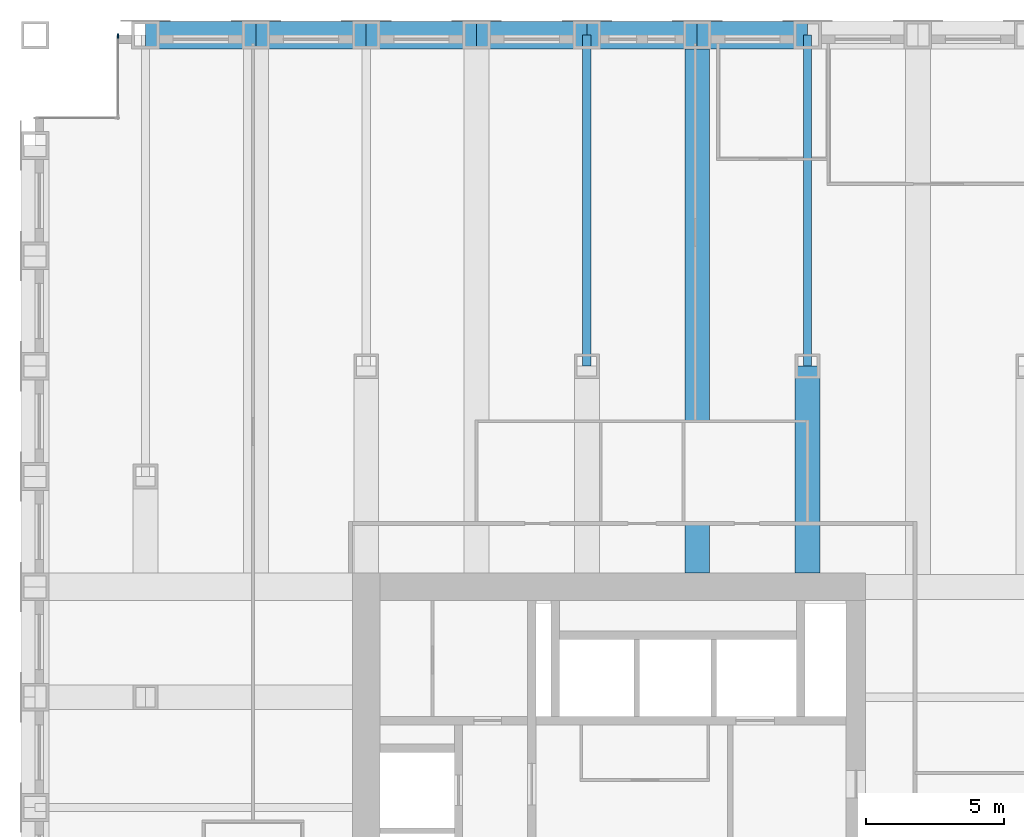
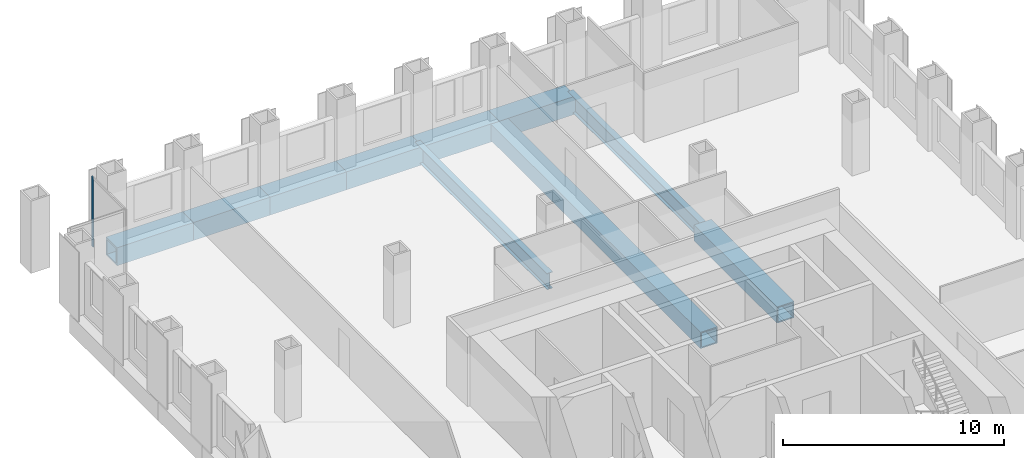
# One storey, part 6 of 13: 10 beams, 1 member, 1 element without a shape of its own.
"""IFC4 building model written with IfcOpenShell, lengths in metres."""

import ifcopenshell
import ifcopenshell.guid

model = None  # the IFC model being written
_history = None  # IfcOwnerHistory: only IFC2X3 demands one
_inside = {}  # id of a spatial element -> (the spatial element, [elements in it])
_under = {}  # id of a project, library or spatial element -> (it, [spatial elements below it])
_declared = {}  # id of a project -> (the project, [libraries it declares])
_typed = {}  # id of a type object -> (the type object, [elements of that type])
_made_of = {}  # id of a material, layer set ... -> (it, [elements and type objects made of it])


def new_model(schema):
    """Start an empty IFC model of exactly this schema.

    Asked for "IFC4X3", IfcOpenShell would pick the latest addendum, in which some entities
    have other attributes; the version numbers below select the first issue.
    IFC2X3 requires an IfcOwnerHistory on every rooted entity: one is made here for all.
    """
    global model, _history
    if schema == "IFC4X3":
        model = ifcopenshell.file(schema_version=(4, 3, 0, 0))
    else:
        model = ifcopenshell.file(schema=schema)
    _inside.clear()
    _under.clear()
    _declared.clear()
    _typed.clear()
    _made_of.clear()
    _history = None
    if model.schema == "IFC2X3":
        org = make("IfcOrganization", Name="unknown")
        user = make(
            "IfcPersonAndOrganization",
            ThePerson=make("IfcPerson", FamilyName="unknown"),
            TheOrganization=org,
        )
        app = make(
            "IfcApplication",
            ApplicationDeveloper=org,
            Version="unknown",
            ApplicationFullName="unknown",
            ApplicationIdentifier="unknown",
        )
        _history = make(
            "IfcOwnerHistory",
            OwningUser=user,
            OwningApplication=app,
            ChangeAction="ADDED",
            CreationDate=0,
        )
    return model


def make(cls, **values):
    """One entity of the class cls with the attributes given. An attribute that is None is left unset."""
    return model.create_entity(
        cls, **{name: value for name, value in values.items() if value is not None}
    )


def rooted(cls, **values):
    """An entity with a GlobalId (a new one), such as an element, a storey or a relation."""
    return make(cls, GlobalId=ifcopenshell.guid.new(), OwnerHistory=_history, **values)


def si_unit(unit_type, name, prefix=None):
    """IfcSIUnit, for example si_unit("LENGTHUNIT", "METRE", prefix="MILLI")."""
    return make("IfcSIUnit", UnitType=unit_type, Prefix=prefix, Name=name)


def assignment(units):
    """IfcUnitAssignment: the units of a project."""
    return None if units is None else make("IfcUnitAssignment", Units=units)


def point(xyz):
    """IfcCartesianPoint."""
    return None if xyz is None else make("IfcCartesianPoint", Coordinates=xyz)


def direction(xyz):
    """IfcDirection."""
    return None if xyz is None else make("IfcDirection", DirectionRatios=xyz)


def frame(location, z_axis=None, x_axis=None):
    """IfcAxis2Placement3D, a coordinate frame: its origin and axes. An axis left out is left unset."""
    return make(
        "IfcAxis2Placement3D",
        Location=point(location),
        Axis=direction(z_axis),
        RefDirection=direction(x_axis),
    )


def frame_2d(location, x_axis=None):
    """IfcAxis2Placement2D, a coordinate frame in the plane: its origin and x axis."""
    return make(
        "IfcAxis2Placement2D", Location=point(location), RefDirection=direction(x_axis)
    )


def origin():
    """The frame at (0, 0, 0) with its axes left unset."""
    return frame((0.0, 0.0, 0.0))


def origin_2d():
    """The frame at (0, 0) in the plane with its x axis left unset."""
    return frame_2d((0.0, 0.0))


def place(relative_to, where):
    """IfcLocalPlacement: puts the frame where relative to a parent placement (None: the world)."""
    return make(
        "IfcLocalPlacement", PlacementRelTo=relative_to, RelativePlacement=where
    )


def context(
    kind, dimensions, precision=None, world=None, true_north=None, identifier=None
):
    """IfcGeometricRepresentationContext, for example the 3D "Model" context."""
    return make(
        "IfcGeometricRepresentationContext",
        ContextIdentifier=identifier,
        ContextType=kind,
        CoordinateSpaceDimension=dimensions,
        Precision=precision,
        WorldCoordinateSystem=world,
        TrueNorth=true_north,
    )


def subcontext(parent, identifier, kind, view, scale=None):
    """IfcGeometricRepresentationSubContext, for example "Body" below "Model"."""
    return make(
        "IfcGeometricRepresentationSubContext",
        ContextIdentifier=identifier,
        ContextType=kind,
        ParentContext=parent,
        TargetScale=scale,
        TargetView=view,
    )


def project(units=None, contexts=None):
    """IfcProject with its units and contexts."""
    return rooted(
        "IfcProject",
        Name="project",
        RepresentationContexts=contexts,
        UnitsInContext=assignment(units),
    )


def spatial(cls, under=None, at=None, **own):
    """A site, building, storey or space (cls), placed at a placement, below another one or the project."""
    s = rooted(cls, ObjectPlacement=at, **own)
    if under is not None:
        _under.setdefault(under.id(), (under, []))[1].append(s)
    return s


def profile(cls, at=None, kind="AREA", **sizes):
    """A parametric profile (cls). Its sizes go by their IFC names, for example OverallWidth=200.0."""
    return make(cls, ProfileType=kind, Position=at, **sizes)


def rectangle(**sizes):
    """IfcRectangleProfileDef."""
    return profile("IfcRectangleProfileDef", **sizes)


def hollow_rectangle(**sizes):
    """IfcRectangleHollowProfileDef."""
    return profile("IfcRectangleHollowProfileDef", **sizes)


def i_section(**sizes):
    """IfcIShapeProfileDef."""
    return profile("IfcIShapeProfileDef", **sizes)


def extrude(swept, where, along, depth):
    """IfcExtrudedAreaSolid: the profile swept, set in the frame where, extruded along a direction by depth."""
    return make(
        "IfcExtrudedAreaSolid",
        SweptArea=swept,
        Position=where,
        ExtrudedDirection=direction(along),
        Depth=depth,
    )


def shape(context_of_items, identifier, shape_type, items):
    """IfcShapeRepresentation: the items that make up one representation, for example the "Body"."""
    return make(
        "IfcShapeRepresentation",
        ContextOfItems=context_of_items,
        RepresentationIdentifier=identifier,
        RepresentationType=shape_type,
        Items=items,
    )


def material(Name=None, Category=None):
    """IfcMaterial."""
    return make("IfcMaterial", Name=Name, Category=Category)


def material_profile(
    of_material, cross_section, Name=None, Category=None, Priority=None
):
    """IfcMaterialProfile: a cross section and its material."""
    return make(
        "IfcMaterialProfile",
        Name=Name,
        Material=of_material,
        Profile=cross_section,
        Priority=Priority,
        Category=Category,
    )


def profile_set(profiles, Name=None, composite=None):
    """IfcMaterialProfileSet."""
    return make(
        "IfcMaterialProfileSet",
        Name=Name,
        MaterialProfiles=profiles,
        CompositeProfile=composite,
    )


def made_of(thing, what):
    """Note that an element or type object is made of a material, layer set ...; save() writes the relation."""
    if what is not None:
        _made_of.setdefault(what.id(), (what, []))[1].append(thing)
    return thing


def type_object(cls, material=None, **own):
    """A type object (cls), such as IfcWallType, which elements share."""
    return made_of(rooted(cls, **own), material)


def element(
    cls,
    number,
    at=None,
    inside=None,
    cuts=None,
    type_object=None,
    material=None,
    context=None,
    identifier="Body",
    shape_type=None,
    held_by="IfcProductDefinitionShape",
    body=None,
    shapes=None,
    **own,
):
    """One element of the class cls, such as IfcWall. Its Tag is "e" and its number.

    at: its placement. inside: the storey or other place that contains it. cuts: it is an
    opening in that element (IfcRelVoidsElement). A single representation is given by context,
    identifier, shape_type and body (its items); several are given by shapes. held_by: the class
    of the entity that holds the representations. save() writes the other relations.
    """
    e = rooted(cls, Tag="e%d" % number, ObjectPlacement=at, **own)
    if body is not None:
        shapes = [shape(context, identifier, shape_type, body)]
    if shapes is not None:
        e.Representation = make(held_by, Representations=shapes)
    if inside is not None:
        _inside.setdefault(inside.id(), (inside, []))[1].append(e)
    if cuts is not None:
        rooted(
            "IfcRelVoidsElement", RelatingBuildingElement=cuts, RelatedOpeningElement=e
        )
    if type_object is not None:
        _typed.setdefault(type_object.id(), (type_object, []))[1].append(e)
    return made_of(e, material)


def aggregate(whole, parts):
    """IfcRelAggregates: a whole, such as a stair, and the parts it consists of."""
    return rooted("IfcRelAggregates", RelatingObject=whole, RelatedObjects=parts)


def save(model, path):
    """Write the relations noted so far, then the file.

    IfcRelAggregates (storeys below a building ...), IfcRelContainedInSpatialStructure (elements
    in a storey), IfcRelDefinesByType, IfcRelAssociatesMaterial and IfcRelDeclares: one each for
    every whole, place, type object, material and project.
    """
    for whole, parts in _under.values():
        aggregate(whole, parts)
    for where, things in _inside.values():
        rooted(
            "IfcRelContainedInSpatialStructure",
            RelatedElements=things,
            RelatingStructure=where,
        )
    for kind, things in _typed.values():
        rooted("IfcRelDefinesByType", RelatedObjects=things, RelatingType=kind)
    for what, things in _made_of.values():
        rooted("IfcRelAssociatesMaterial", RelatedObjects=things, RelatingMaterial=what)
    for by, libraries in _declared.values():
        rooted("IfcRelDeclares", RelatingContext=by, RelatedDefinitions=libraries)
    model.write(path)


model = new_model("IFC4")

# Units and contexts
model_context = context("Model", 3, precision=1e-05, world=origin(), true_north=direction((0.0, 1.0)))
body_context = subcontext(model_context, "Body", "Model", "MODEL_VIEW")
ifc_project = project(units=[si_unit("LENGTHUNIT", "METRE"), si_unit("AREAUNIT", "SQUARE_METRE"), si_unit("VOLUMEUNIT", "CUBIC_METRE"), si_unit("PLANEANGLEUNIT", "RADIAN"), si_unit("MASSUNIT", "GRAM", prefix="KILO")], contexts=[model_context])

# Site, building, storey
site_placement = place(None, origin())
site = spatial("IfcSite", under=ifc_project, at=site_placement, CompositionType="ELEMENT")
building_placement = place(site_placement, origin())
building = spatial("IfcBuilding", under=site, at=building_placement, Name="Rimbunsela Tower", CompositionType="ELEMENT")
storey_placement = place(building_placement, frame((0.0, 0.0, 187.800048828125)))
storey = spatial("IfcBuildingStorey", under=building, at=storey_placement, Name="L45", CompositionType="ELEMENT", Elevation=187.800048828125)

# Beams
ifc_material_1 = material(Name="Steel BJ 55 (fy 410 MPa)", Category="steel")
ifc_material_profile_1 = material_profile(ifc_material_1, hollow_rectangle(XDim=1.0, YDim=1.0, WallThickness=0.10009765625, at=origin_2d()), Name="BOX 1000x1000x100")
ifc_profile_set_1 = profile_set([ifc_material_profile_1], Name="Steel BJ 55 (fy 410 MPa)")
beam_type_1 = type_object("IfcBeamType", Name="Beam BOX 1000x1000x100", PredefinedType="BEAM", material=ifc_profile_set_1)
for number, where, z_axis, x_axis, name in (
    (1, (10.0, 56.0, -0.650146484375), (1.0, 0.0, 0.0), (0.0, 1.0, 0.0), "Beam B3 L45"),
    (2, (14.0, 56.0, -0.650146484375), (1.0, 0.0, 0.0), (0.0, 1.0, 0.0), "Beam B3 L45"),
    (3, (18.0, 56.0, -0.650146484375), (1.0, 0.0, 0.0), (0.0, 1.0, 0.0), "Beam B3 L45"),
    (4, (22.0, 56.0, -0.650146484375), (1.0, 0.0, 0.0), (0.0, 1.0, 0.0), "Beam B3 L45"),
    (5, (26.0, 56.0, -0.650146484375), (1.0, 0.0, 0.0), (0.0, 1.0, 0.0), "Beam B3 L45"),
    (6, (30.0, 56.0, -0.650146484375), (1.0, 0.0, 0.0), (0.0, 1.0, 0.0), "Beam B3 L45"),
):
    element("IfcBeam", number, at=place(storey_placement, frame(where, z_axis=z_axis, x_axis=x_axis)), inside=storey, type_object=beam_type_1, Name=name, PredefinedType="BEAM", context=body_context, shape_type="SweptSolid", body=[
        extrude(hollow_rectangle(XDim=1.0, YDim=1.0, WallThickness=0.10009765625, at=origin_2d()), origin(), (0.0, 0.0, 1.0), 4.0),
    ])
ifc_material_2 = material(Name="Steel BJ 55 (fy 410 MPa)", Category="steel")
ifc_material_profile_2 = material_profile(ifc_material_2, hollow_rectangle(XDim=0.89990234375, YDim=0.89990234375, WallThickness=0.06005859375, at=origin_2d()), Name="BOX 900x900x60")
ifc_profile_set_2 = profile_set([ifc_material_profile_2], Name="Steel BJ 55 (fy 410 MPa)")
beam_type_2 = type_object("IfcBeamType", Name="Beam BOX 900x900x60", PredefinedType="BEAM", material=ifc_profile_set_2)
beam_1_placement = place(storey_placement, frame((30.0, 36.5, -0.60009765625), z_axis=(0.0, 1.0, 0.0), x_axis=(-1.0, 0.0, 0.0)))
element("IfcBeam", 7, at=beam_1_placement, inside=storey, type_object=beam_type_2, Name="Beam B1 L45", PredefinedType="BEAM", context=body_context, shape_type="SweptSolid", body=[
    extrude(hollow_rectangle(XDim=0.89990234375, YDim=0.89990234375, WallThickness=0.06005859375, at=origin_2d()), origin(), (0.0, 0.0, 1.0), 19.5),
])
beam_2_placement = place(storey_placement, frame((34.0, 36.5, -0.60009765625), z_axis=(0.0, 1.0, 0.0), x_axis=(-1.0, 0.0, 0.0)))
element("IfcBeam", 8, at=beam_2_placement, inside=storey, type_object=beam_type_2, Name="Beam B1 L45", PredefinedType="BEAM", context=body_context, shape_type="SweptSolid", body=[
    extrude(hollow_rectangle(XDim=0.89990234375, YDim=0.89990234375, WallThickness=0.06005859375, at=origin_2d()), origin(), (0.0, 0.0, 1.0), 7.5),
])
ifc_material_3 = material(Name="Steel BJ 55 (fy 410 MPa)", Category="steel")
ifc_material_profile_3 = material_profile(ifc_material_3, i_section(OverallWidth=0.300048828125, OverallDepth=0.89990234375, WebThickness=0.01611328125, FlangeThickness=0.028076171875, FilletRadius=0.028076171875, at=origin_2d()), Name="H 900x300x16x28")
ifc_profile_set_3 = profile_set([ifc_material_profile_3], Name="Steel BJ 55 (fy 410 MPa)")
beam_type_3 = type_object("IfcBeamType", Name="Beam H 900x300x16x28", PredefinedType="BEAM", material=ifc_profile_set_3)
for number, where, z_axis, x_axis, name in (
    (9, (26.0, 44.0, -0.60009765625), (0.0, 1.0, 0.0), (-1.0, 0.0, 0.0), "Beam B2 L45"),
    (10, (34.0, 44.0, -0.60009765625), (0.0, 1.0, 0.0), (-1.0, 0.0, 0.0), "Beam B2 L45"),
):
    element("IfcBeam", number, at=place(storey_placement, frame(where, z_axis=z_axis, x_axis=x_axis)), inside=storey, type_object=beam_type_3, Name=name, PredefinedType="BEAM", context=body_context, shape_type="SweptSolid", body=[
        extrude(i_section(OverallWidth=0.300048828125, OverallDepth=0.89990234375, WebThickness=0.01611328125, FlangeThickness=0.028076171875, FilletRadius=0.028076171875, at=origin_2d()), origin(), (0.0, 0.0, 1.0), 12.0),
    ])

# Curtain wall, member
ifc_material_4 = material(Name="Aluminium curtain wall", Category="aluminium")
curtain_wall_type = type_object("IfcCurtainWallType", Name="Corner glazing", PredefinedType="USERDEFINED", material=ifc_material_4)
curtain_wall_placement = place(storey_placement, origin())
curtain_wall = element("IfcCurtainWall", 11, at=curtain_wall_placement, inside=storey, type_object=curtain_wall_type, Name="Corner glazing L45", ObjectType="CORNER GLAZING", PredefinedType="USERDEFINED")
ifc_material_5 = material(Name="Aluminium mullion", Category="aluminium")
ifc_material_profile_4 = material_profile(ifc_material_5, rectangle(XDim=0.06005859375, YDim=0.159912109375, at=origin_2d()), Name="Mullion 60x160")
ifc_profile_set_4 = profile_set([ifc_material_profile_4], Name="Aluminium mullion")
member_type = type_object("IfcMemberType", Name="Curtain wall mullion 60x160", PredefinedType="MULLION", material=ifc_profile_set_4)
member_placement = place(storey_placement, frame((9.0, 55.969970703125, 0.0), z_axis=(0.0, 0.0, 1.0), x_axis=(1.0, 0.0, 0.0)))
member = element("IfcMember", 12, at=member_placement, type_object=member_type, Name="CW5 mullion 1", PredefinedType="MULLION", context=body_context, shape_type="SweptSolid", body=[
    extrude(rectangle(XDim=0.06005859375, YDim=0.159912109375, at=origin_2d()), origin(), (0.0, 0.0, 1.0), 3.849853515625),
])
aggregate(curtain_wall, [member])

save(model, "model.ifc")
